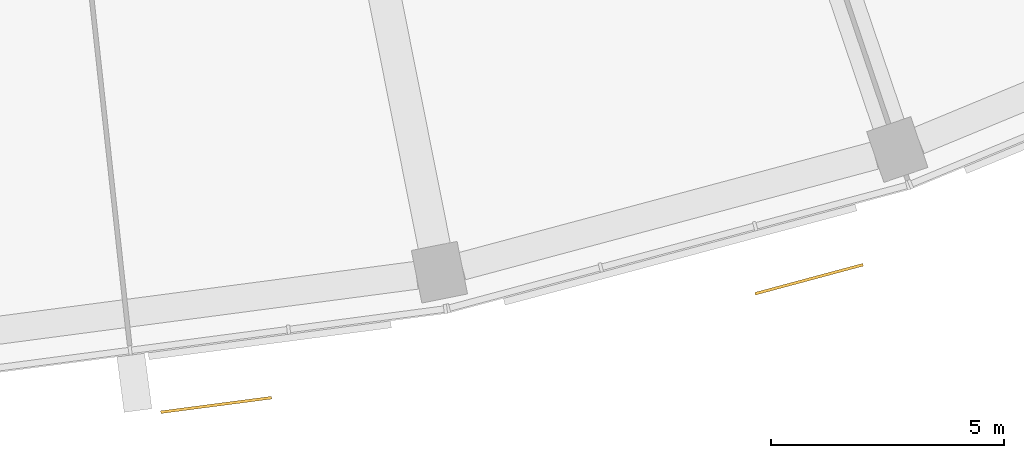
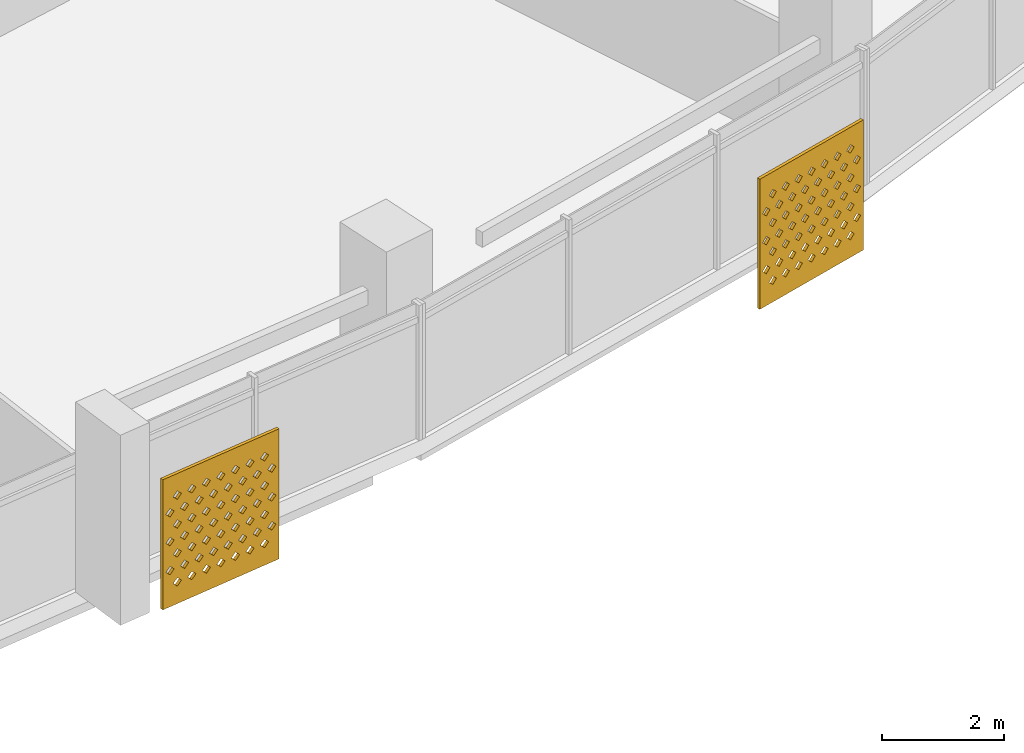
# One storey, part 26 of 28: 2 shading devices.
"""IFC4 building model written with IfcOpenShell, lengths in metres."""

import ifcopenshell
import ifcopenshell.guid

model = None  # the IFC model being written
_history = None  # IfcOwnerHistory: only IFC2X3 demands one
_inside = {}  # id of a spatial element -> (the spatial element, [elements in it])
_under = {}  # id of a project, library or spatial element -> (it, [spatial elements below it])
_declared = {}  # id of a project -> (the project, [libraries it declares])
_typed = {}  # id of a type object -> (the type object, [elements of that type])
_made_of = {}  # id of a material, layer set ... -> (it, [elements and type objects made of it])


def new_model(schema):
    """Start an empty IFC model of exactly this schema.

    Asked for "IFC4X3", IfcOpenShell would pick the latest addendum, in which some entities
    have other attributes; the version numbers below select the first issue.
    IFC2X3 requires an IfcOwnerHistory on every rooted entity: one is made here for all.
    """
    global model, _history
    if schema == "IFC4X3":
        model = ifcopenshell.file(schema_version=(4, 3, 0, 0))
    else:
        model = ifcopenshell.file(schema=schema)
    _inside.clear()
    _under.clear()
    _declared.clear()
    _typed.clear()
    _made_of.clear()
    _history = None
    if model.schema == "IFC2X3":
        org = make("IfcOrganization", Name="unknown")
        user = make(
            "IfcPersonAndOrganization",
            ThePerson=make("IfcPerson", FamilyName="unknown"),
            TheOrganization=org,
        )
        app = make(
            "IfcApplication",
            ApplicationDeveloper=org,
            Version="unknown",
            ApplicationFullName="unknown",
            ApplicationIdentifier="unknown",
        )
        _history = make(
            "IfcOwnerHistory",
            OwningUser=user,
            OwningApplication=app,
            ChangeAction="ADDED",
            CreationDate=0,
        )
    return model


def make(cls, **values):
    """One entity of the class cls with the attributes given. An attribute that is None is left unset."""
    return model.create_entity(
        cls, **{name: value for name, value in values.items() if value is not None}
    )


def rooted(cls, **values):
    """An entity with a GlobalId (a new one), such as an element, a storey or a relation."""
    return make(cls, GlobalId=ifcopenshell.guid.new(), OwnerHistory=_history, **values)


def si_unit(unit_type, name, prefix=None):
    """IfcSIUnit, for example si_unit("LENGTHUNIT", "METRE", prefix="MILLI")."""
    return make("IfcSIUnit", UnitType=unit_type, Prefix=prefix, Name=name)


def assignment(units):
    """IfcUnitAssignment: the units of a project."""
    return None if units is None else make("IfcUnitAssignment", Units=units)


def point(xyz):
    """IfcCartesianPoint."""
    return None if xyz is None else make("IfcCartesianPoint", Coordinates=xyz)


def direction(xyz):
    """IfcDirection."""
    return None if xyz is None else make("IfcDirection", DirectionRatios=xyz)


def frame(location, z_axis=None, x_axis=None):
    """IfcAxis2Placement3D, a coordinate frame: its origin and axes. An axis left out is left unset."""
    return make(
        "IfcAxis2Placement3D",
        Location=point(location),
        Axis=direction(z_axis),
        RefDirection=direction(x_axis),
    )


def origin():
    """The frame at (0, 0, 0) with its axes left unset."""
    return frame((0.0, 0.0, 0.0))


def place(relative_to, where):
    """IfcLocalPlacement: puts the frame where relative to a parent placement (None: the world)."""
    return make(
        "IfcLocalPlacement", PlacementRelTo=relative_to, RelativePlacement=where
    )


def context(
    kind, dimensions, precision=None, world=None, true_north=None, identifier=None
):
    """IfcGeometricRepresentationContext, for example the 3D "Model" context."""
    return make(
        "IfcGeometricRepresentationContext",
        ContextIdentifier=identifier,
        ContextType=kind,
        CoordinateSpaceDimension=dimensions,
        Precision=precision,
        WorldCoordinateSystem=world,
        TrueNorth=true_north,
    )


def subcontext(parent, identifier, kind, view, scale=None):
    """IfcGeometricRepresentationSubContext, for example "Body" below "Model"."""
    return make(
        "IfcGeometricRepresentationSubContext",
        ContextIdentifier=identifier,
        ContextType=kind,
        ParentContext=parent,
        TargetScale=scale,
        TargetView=view,
    )


def project(units=None, contexts=None):
    """IfcProject with its units and contexts."""
    return rooted(
        "IfcProject",
        Name="project",
        RepresentationContexts=contexts,
        UnitsInContext=assignment(units),
    )


def spatial(cls, under=None, at=None, **own):
    """A site, building, storey or space (cls), placed at a placement, below another one or the project."""
    s = rooted(cls, ObjectPlacement=at, **own)
    if under is not None:
        _under.setdefault(under.id(), (under, []))[1].append(s)
    return s


def polyline(points):
    """IfcPolyline through the points."""
    return make("IfcPolyline", Points=[point(p) for p in points])


def outline(outer, holes=None, kind="AREA"):
    """IfcArbitraryClosedProfileDef: a profile drawn as a closed curve; with holes, ...WithVoids."""
    if holes is None:
        return make("IfcArbitraryClosedProfileDef", ProfileType=kind, OuterCurve=outer)
    return make(
        "IfcArbitraryProfileDefWithVoids",
        ProfileType=kind,
        OuterCurve=outer,
        InnerCurves=holes,
    )


def extrude(swept, where, along, depth):
    """IfcExtrudedAreaSolid: the profile swept, set in the frame where, extruded along a direction by depth."""
    return make(
        "IfcExtrudedAreaSolid",
        SweptArea=swept,
        Position=where,
        ExtrudedDirection=direction(along),
        Depth=depth,
    )


def shape(context_of_items, identifier, shape_type, items):
    """IfcShapeRepresentation: the items that make up one representation, for example the "Body"."""
    return make(
        "IfcShapeRepresentation",
        ContextOfItems=context_of_items,
        RepresentationIdentifier=identifier,
        RepresentationType=shape_type,
        Items=items,
    )


def material(Name=None, Category=None):
    """IfcMaterial."""
    return make("IfcMaterial", Name=Name, Category=Category)


def material_profile(
    of_material, cross_section, Name=None, Category=None, Priority=None
):
    """IfcMaterialProfile: a cross section and its material."""
    return make(
        "IfcMaterialProfile",
        Name=Name,
        Material=of_material,
        Profile=cross_section,
        Priority=Priority,
        Category=Category,
    )


def profile_set(profiles, Name=None, composite=None):
    """IfcMaterialProfileSet."""
    return make(
        "IfcMaterialProfileSet",
        Name=Name,
        MaterialProfiles=profiles,
        CompositeProfile=composite,
    )


def made_of(thing, what):
    """Note that an element or type object is made of a material, layer set ...; save() writes the relation."""
    if what is not None:
        _made_of.setdefault(what.id(), (what, []))[1].append(thing)
    return thing


def type_object(cls, material=None, **own):
    """A type object (cls), such as IfcWallType, which elements share."""
    return made_of(rooted(cls, **own), material)


def element(
    cls,
    number,
    at=None,
    inside=None,
    cuts=None,
    type_object=None,
    material=None,
    context=None,
    identifier="Body",
    shape_type=None,
    held_by="IfcProductDefinitionShape",
    body=None,
    shapes=None,
    **own,
):
    """One element of the class cls, such as IfcWall. Its Tag is "e" and its number.

    at: its placement. inside: the storey or other place that contains it. cuts: it is an
    opening in that element (IfcRelVoidsElement). A single representation is given by context,
    identifier, shape_type and body (its items); several are given by shapes. held_by: the class
    of the entity that holds the representations. save() writes the other relations.
    """
    e = rooted(cls, Tag="e%d" % number, ObjectPlacement=at, **own)
    if body is not None:
        shapes = [shape(context, identifier, shape_type, body)]
    if shapes is not None:
        e.Representation = make(held_by, Representations=shapes)
    if inside is not None:
        _inside.setdefault(inside.id(), (inside, []))[1].append(e)
    if cuts is not None:
        rooted(
            "IfcRelVoidsElement", RelatingBuildingElement=cuts, RelatedOpeningElement=e
        )
    if type_object is not None:
        _typed.setdefault(type_object.id(), (type_object, []))[1].append(e)
    return made_of(e, material)


def aggregate(whole, parts):
    """IfcRelAggregates: a whole, such as a stair, and the parts it consists of."""
    return rooted("IfcRelAggregates", RelatingObject=whole, RelatedObjects=parts)


def save(model, path):
    """Write the relations noted so far, then the file.

    IfcRelAggregates (storeys below a building ...), IfcRelContainedInSpatialStructure (elements
    in a storey), IfcRelDefinesByType, IfcRelAssociatesMaterial and IfcRelDeclares: one each for
    every whole, place, type object, material and project.
    """
    for whole, parts in _under.values():
        aggregate(whole, parts)
    for where, things in _inside.values():
        rooted(
            "IfcRelContainedInSpatialStructure",
            RelatedElements=things,
            RelatingStructure=where,
        )
    for kind, things in _typed.values():
        rooted("IfcRelDefinesByType", RelatedObjects=things, RelatingType=kind)
    for what, things in _made_of.values():
        rooted("IfcRelAssociatesMaterial", RelatedObjects=things, RelatingMaterial=what)
    for by, libraries in _declared.values():
        rooted("IfcRelDeclares", RelatingContext=by, RelatedDefinitions=libraries)
    model.write(path)


model = new_model("IFC4")

# Units and contexts
model_context = context("Model", 3, precision=1e-05, world=origin(), true_north=direction((0.0, 1.0)))
body_context = subcontext(model_context, "Body", "Model", "MODEL_VIEW")
ifc_project = project(units=[si_unit("LENGTHUNIT", "METRE"), si_unit("AREAUNIT", "SQUARE_METRE"), si_unit("VOLUMEUNIT", "CUBIC_METRE"), si_unit("PLANEANGLEUNIT", "RADIAN"), si_unit("MASSUNIT", "GRAM", prefix="KILO")], contexts=[model_context])

# Site, building, storey
site_placement = place(None, origin())
site = spatial("IfcSite", under=ifc_project, at=site_placement, CompositionType="ELEMENT")
building_placement = place(site_placement, origin())
building = spatial("IfcBuilding", under=site, at=building_placement, Name="Qamariyya Broadcast Tower", CompositionType="ELEMENT")
storey_placement = place(building_placement, frame((0.0, 0.0, 215.10009765625)))
storey = spatial("IfcBuildingStorey", under=building, at=storey_placement, Name="L51", CompositionType="ELEMENT", Elevation=215.10009765625)

# Shading devices
ifc_material = material(Name="Perforated glazed terracotta", Category="masonry")
ifc_material_profile = material_profile(ifc_material, outline(polyline([(-1.199951171875, -1.300048828125), (1.199951171875, -1.300048828125), (1.199951171875, 1.300048828125), (-1.199951171875, 1.300048828125), (-1.199951171875, -1.300048828125)]), holes=[polyline([(-0.81494140625, -0.86669921875), (-0.89990234375, -0.78173828125), (-0.985107421875, -0.86669921875), (-0.89990234375, -0.95166015625), (-0.81494140625, -0.86669921875)]), polyline([(-0.514892578125, -0.86669921875), (-0.60009765625, -0.78173828125), (-0.68505859375, -0.86669921875), (-0.60009765625, -0.95166015625), (-0.514892578125, -0.86669921875)]), polyline([(-0.215087890625, -0.86669921875), (-0.300048828125, -0.78173828125), (-0.385009765625, -0.86669921875), (-0.300048828125, -0.95166015625), (-0.215087890625, -0.86669921875)]), polyline([(0.0849609375, -0.86669921875), (0.0, -0.78173828125), (-0.0849609375, -0.86669921875), (0.0, -0.95166015625), (0.0849609375, -0.86669921875)]), polyline([(0.385009765625, -0.86669921875), (0.300048828125, -0.78173828125), (0.215087890625, -0.86669921875), (0.300048828125, -0.95166015625), (0.385009765625, -0.86669921875)]), polyline([(0.68505859375, -0.86669921875), (0.60009765625, -0.78173828125), (0.514892578125, -0.86669921875), (0.60009765625, -0.95166015625), (0.68505859375, -0.86669921875)]), polyline([(0.985107421875, -0.86669921875), (0.89990234375, -0.78173828125), (0.81494140625, -0.86669921875), (0.89990234375, -0.95166015625), (0.985107421875, -0.86669921875)]), polyline([(-0.965087890625, -0.577880859375), (-1.050048828125, -0.49267578125), (-1.135009765625, -0.577880859375), (-1.050048828125, -0.662841796875), (-0.965087890625, -0.577880859375)]), polyline([(-0.6650390625, -0.577880859375), (-0.75, -0.49267578125), (-0.8349609375, -0.577880859375), (-0.75, -0.662841796875), (-0.6650390625, -0.577880859375)]), polyline([(-0.364990234375, -0.577880859375), (-0.449951171875, -0.49267578125), (-0.534912109375, -0.577880859375), (-0.449951171875, -0.662841796875), (-0.364990234375, -0.577880859375)]), polyline([(-0.06494140625, -0.577880859375), (-0.14990234375, -0.49267578125), (-0.235107421875, -0.577880859375), (-0.14990234375, -0.662841796875), (-0.06494140625, -0.577880859375)]), polyline([(0.235107421875, -0.577880859375), (0.14990234375, -0.49267578125), (0.06494140625, -0.577880859375), (0.14990234375, -0.662841796875), (0.235107421875, -0.577880859375)]), polyline([(0.534912109375, -0.577880859375), (0.449951171875, -0.49267578125), (0.364990234375, -0.577880859375), (0.449951171875, -0.662841796875), (0.534912109375, -0.577880859375)]), polyline([(0.8349609375, -0.577880859375), (0.75, -0.49267578125), (0.6650390625, -0.577880859375), (0.75, -0.662841796875), (0.8349609375, -0.577880859375)]), polyline([(1.135009765625, -0.577880859375), (1.050048828125, -0.49267578125), (0.965087890625, -0.577880859375), (1.050048828125, -0.662841796875), (1.135009765625, -0.577880859375)]), polyline([(-0.81494140625, -0.288818359375), (-0.89990234375, -0.203857421875), (-0.985107421875, -0.288818359375), (-0.89990234375, -0.373779296875), (-0.81494140625, -0.288818359375)]), polyline([(-0.514892578125, -0.288818359375), (-0.60009765625, -0.203857421875), (-0.68505859375, -0.288818359375), (-0.60009765625, -0.373779296875), (-0.514892578125, -0.288818359375)]), polyline([(-0.215087890625, -0.288818359375), (-0.300048828125, -0.203857421875), (-0.385009765625, -0.288818359375), (-0.300048828125, -0.373779296875), (-0.215087890625, -0.288818359375)]), polyline([(0.0849609375, -0.288818359375), (0.0, -0.203857421875), (-0.0849609375, -0.288818359375), (0.0, -0.373779296875), (0.0849609375, -0.288818359375)]), polyline([(0.385009765625, -0.288818359375), (0.300048828125, -0.203857421875), (0.215087890625, -0.288818359375), (0.300048828125, -0.373779296875), (0.385009765625, -0.288818359375)]), polyline([(0.68505859375, -0.288818359375), (0.60009765625, -0.203857421875), (0.514892578125, -0.288818359375), (0.60009765625, -0.373779296875), (0.68505859375, -0.288818359375)]), polyline([(0.985107421875, -0.288818359375), (0.89990234375, -0.203857421875), (0.81494140625, -0.288818359375), (0.89990234375, -0.373779296875), (0.985107421875, -0.288818359375)]), polyline([(-0.965087890625, 0.0), (-1.050048828125, 0.0849609375), (-1.135009765625, 0.0), (-1.050048828125, -0.0849609375), (-0.965087890625, 0.0)]), polyline([(-0.6650390625, 0.0), (-0.75, 0.0849609375), (-0.8349609375, 0.0), (-0.75, -0.0849609375), (-0.6650390625, 0.0)]), polyline([(-0.364990234375, 0.0), (-0.449951171875, 0.0849609375), (-0.534912109375, 0.0), (-0.449951171875, -0.0849609375), (-0.364990234375, 0.0)]), polyline([(-0.06494140625, 0.0), (-0.14990234375, 0.0849609375), (-0.235107421875, 0.0), (-0.14990234375, -0.0849609375), (-0.06494140625, 0.0)]), polyline([(0.235107421875, 0.0), (0.14990234375, 0.0849609375), (0.06494140625, 0.0), (0.14990234375, -0.0849609375), (0.235107421875, 0.0)]), polyline([(0.534912109375, 0.0), (0.449951171875, 0.0849609375), (0.364990234375, 0.0), (0.449951171875, -0.0849609375), (0.534912109375, 0.0)]), polyline([(0.8349609375, 0.0), (0.75, 0.0849609375), (0.6650390625, 0.0), (0.75, -0.0849609375), (0.8349609375, 0.0)]), polyline([(1.135009765625, 0.0), (1.050048828125, 0.0849609375), (0.965087890625, 0.0), (1.050048828125, -0.0849609375), (1.135009765625, 0.0)]), polyline([(-0.81494140625, 0.288818359375), (-0.89990234375, 0.373779296875), (-0.985107421875, 0.288818359375), (-0.89990234375, 0.203857421875), (-0.81494140625, 0.288818359375)]), polyline([(-0.514892578125, 0.288818359375), (-0.60009765625, 0.373779296875), (-0.68505859375, 0.288818359375), (-0.60009765625, 0.203857421875), (-0.514892578125, 0.288818359375)]), polyline([(-0.215087890625, 0.288818359375), (-0.300048828125, 0.373779296875), (-0.385009765625, 0.288818359375), (-0.300048828125, 0.203857421875), (-0.215087890625, 0.288818359375)]), polyline([(0.0849609375, 0.288818359375), (0.0, 0.373779296875), (-0.0849609375, 0.288818359375), (0.0, 0.203857421875), (0.0849609375, 0.288818359375)]), polyline([(0.385009765625, 0.288818359375), (0.300048828125, 0.373779296875), (0.215087890625, 0.288818359375), (0.300048828125, 0.203857421875), (0.385009765625, 0.288818359375)]), polyline([(0.68505859375, 0.288818359375), (0.60009765625, 0.373779296875), (0.514892578125, 0.288818359375), (0.60009765625, 0.203857421875), (0.68505859375, 0.288818359375)]), polyline([(0.985107421875, 0.288818359375), (0.89990234375, 0.373779296875), (0.81494140625, 0.288818359375), (0.89990234375, 0.203857421875), (0.985107421875, 0.288818359375)]), polyline([(-0.965087890625, 0.577880859375), (-1.050048828125, 0.662841796875), (-1.135009765625, 0.577880859375), (-1.050048828125, 0.49267578125), (-0.965087890625, 0.577880859375)]), polyline([(-0.6650390625, 0.577880859375), (-0.75, 0.662841796875), (-0.8349609375, 0.577880859375), (-0.75, 0.49267578125), (-0.6650390625, 0.577880859375)]), polyline([(-0.364990234375, 0.577880859375), (-0.449951171875, 0.662841796875), (-0.534912109375, 0.577880859375), (-0.449951171875, 0.49267578125), (-0.364990234375, 0.577880859375)]), polyline([(-0.06494140625, 0.577880859375), (-0.14990234375, 0.662841796875), (-0.235107421875, 0.577880859375), (-0.14990234375, 0.49267578125), (-0.06494140625, 0.577880859375)]), polyline([(0.235107421875, 0.577880859375), (0.14990234375, 0.662841796875), (0.06494140625, 0.577880859375), (0.14990234375, 0.49267578125), (0.235107421875, 0.577880859375)]), polyline([(0.534912109375, 0.577880859375), (0.449951171875, 0.662841796875), (0.364990234375, 0.577880859375), (0.449951171875, 0.49267578125), (0.534912109375, 0.577880859375)]), polyline([(0.8349609375, 0.577880859375), (0.75, 0.662841796875), (0.6650390625, 0.577880859375), (0.75, 0.49267578125), (0.8349609375, 0.577880859375)]), polyline([(1.135009765625, 0.577880859375), (1.050048828125, 0.662841796875), (0.965087890625, 0.577880859375), (1.050048828125, 0.49267578125), (1.135009765625, 0.577880859375)]), polyline([(-0.81494140625, 0.86669921875), (-0.89990234375, 0.95166015625), (-0.985107421875, 0.86669921875), (-0.89990234375, 0.78173828125), (-0.81494140625, 0.86669921875)]), polyline([(-0.514892578125, 0.86669921875), (-0.60009765625, 0.95166015625), (-0.68505859375, 0.86669921875), (-0.60009765625, 0.78173828125), (-0.514892578125, 0.86669921875)]), polyline([(-0.215087890625, 0.86669921875), (-0.300048828125, 0.95166015625), (-0.385009765625, 0.86669921875), (-0.300048828125, 0.78173828125), (-0.215087890625, 0.86669921875)]), polyline([(0.0849609375, 0.86669921875), (0.0, 0.95166015625), (-0.0849609375, 0.86669921875), (0.0, 0.78173828125), (0.0849609375, 0.86669921875)]), polyline([(0.385009765625, 0.86669921875), (0.300048828125, 0.95166015625), (0.215087890625, 0.86669921875), (0.300048828125, 0.78173828125), (0.385009765625, 0.86669921875)]), polyline([(0.68505859375, 0.86669921875), (0.60009765625, 0.95166015625), (0.514892578125, 0.86669921875), (0.60009765625, 0.78173828125), (0.68505859375, 0.86669921875)]), polyline([(0.985107421875, 0.86669921875), (0.89990234375, 0.95166015625), (0.81494140625, 0.86669921875), (0.89990234375, 0.78173828125), (0.985107421875, 0.86669921875)])]))
ifc_profile_set = profile_set([ifc_material_profile], Name="Perforated glazed terracotta")
shading_device_type = type_object("IfcShadingDeviceType", Name="Perforated terracotta screen 2400 x 2600", PredefinedType="USERDEFINED", material=ifc_profile_set)
shading_device_1_placement = place(storey_placement, frame((10.3740234375, -79.073974609375, 1.349853515625), z_axis=(0.1300340368, -0.991509530601, 0.0), x_axis=(0.991509530601, 0.1300340368, 0.0)))
element("IfcShadingDevice", 1, at=shading_device_1_placement, inside=storey, type_object=shading_device_type, Name="e-scr-L51-09-1", ObjectType="SCREEN", PredefinedType="USERDEFINED", context=body_context, shape_type="SweptSolid", body=[
    extrude(outline(polyline([(-1.199951171875, -1.300048828125), (1.199951171875, -1.300048828125), (1.199951171875, 1.300048828125), (-1.199951171875, 1.300048828125), (-1.199951171875, -1.300048828125)]), holes=[polyline([(-0.81494140625, -0.86669921875), (-0.89990234375, -0.78173828125), (-0.985107421875, -0.86669921875), (-0.89990234375, -0.95166015625), (-0.81494140625, -0.86669921875)]), polyline([(-0.514892578125, -0.86669921875), (-0.60009765625, -0.78173828125), (-0.68505859375, -0.86669921875), (-0.60009765625, -0.95166015625), (-0.514892578125, -0.86669921875)]), polyline([(-0.215087890625, -0.86669921875), (-0.300048828125, -0.78173828125), (-0.385009765625, -0.86669921875), (-0.300048828125, -0.95166015625), (-0.215087890625, -0.86669921875)]), polyline([(0.0849609375, -0.86669921875), (0.0, -0.78173828125), (-0.0849609375, -0.86669921875), (0.0, -0.95166015625), (0.0849609375, -0.86669921875)]), polyline([(0.385009765625, -0.86669921875), (0.300048828125, -0.78173828125), (0.215087890625, -0.86669921875), (0.300048828125, -0.95166015625), (0.385009765625, -0.86669921875)]), polyline([(0.68505859375, -0.86669921875), (0.60009765625, -0.78173828125), (0.514892578125, -0.86669921875), (0.60009765625, -0.95166015625), (0.68505859375, -0.86669921875)]), polyline([(0.985107421875, -0.86669921875), (0.89990234375, -0.78173828125), (0.81494140625, -0.86669921875), (0.89990234375, -0.95166015625), (0.985107421875, -0.86669921875)]), polyline([(-0.965087890625, -0.577880859375), (-1.050048828125, -0.49267578125), (-1.135009765625, -0.577880859375), (-1.050048828125, -0.662841796875), (-0.965087890625, -0.577880859375)]), polyline([(-0.6650390625, -0.577880859375), (-0.75, -0.49267578125), (-0.8349609375, -0.577880859375), (-0.75, -0.662841796875), (-0.6650390625, -0.577880859375)]), polyline([(-0.364990234375, -0.577880859375), (-0.449951171875, -0.49267578125), (-0.534912109375, -0.577880859375), (-0.449951171875, -0.662841796875), (-0.364990234375, -0.577880859375)]), polyline([(-0.06494140625, -0.577880859375), (-0.14990234375, -0.49267578125), (-0.235107421875, -0.577880859375), (-0.14990234375, -0.662841796875), (-0.06494140625, -0.577880859375)]), polyline([(0.235107421875, -0.577880859375), (0.14990234375, -0.49267578125), (0.06494140625, -0.577880859375), (0.14990234375, -0.662841796875), (0.235107421875, -0.577880859375)]), polyline([(0.534912109375, -0.577880859375), (0.449951171875, -0.49267578125), (0.364990234375, -0.577880859375), (0.449951171875, -0.662841796875), (0.534912109375, -0.577880859375)]), polyline([(0.8349609375, -0.577880859375), (0.75, -0.49267578125), (0.6650390625, -0.577880859375), (0.75, -0.662841796875), (0.8349609375, -0.577880859375)]), polyline([(1.135009765625, -0.577880859375), (1.050048828125, -0.49267578125), (0.965087890625, -0.577880859375), (1.050048828125, -0.662841796875), (1.135009765625, -0.577880859375)]), polyline([(-0.81494140625, -0.288818359375), (-0.89990234375, -0.203857421875), (-0.985107421875, -0.288818359375), (-0.89990234375, -0.373779296875), (-0.81494140625, -0.288818359375)]), polyline([(-0.514892578125, -0.288818359375), (-0.60009765625, -0.203857421875), (-0.68505859375, -0.288818359375), (-0.60009765625, -0.373779296875), (-0.514892578125, -0.288818359375)]), polyline([(-0.215087890625, -0.288818359375), (-0.300048828125, -0.203857421875), (-0.385009765625, -0.288818359375), (-0.300048828125, -0.373779296875), (-0.215087890625, -0.288818359375)]), polyline([(0.0849609375, -0.288818359375), (0.0, -0.203857421875), (-0.0849609375, -0.288818359375), (0.0, -0.373779296875), (0.0849609375, -0.288818359375)]), polyline([(0.385009765625, -0.288818359375), (0.300048828125, -0.203857421875), (0.215087890625, -0.288818359375), (0.300048828125, -0.373779296875), (0.385009765625, -0.288818359375)]), polyline([(0.68505859375, -0.288818359375), (0.60009765625, -0.203857421875), (0.514892578125, -0.288818359375), (0.60009765625, -0.373779296875), (0.68505859375, -0.288818359375)]), polyline([(0.985107421875, -0.288818359375), (0.89990234375, -0.203857421875), (0.81494140625, -0.288818359375), (0.89990234375, -0.373779296875), (0.985107421875, -0.288818359375)]), polyline([(-0.965087890625, 0.0), (-1.050048828125, 0.0849609375), (-1.135009765625, 0.0), (-1.050048828125, -0.0849609375), (-0.965087890625, 0.0)]), polyline([(-0.6650390625, 0.0), (-0.75, 0.0849609375), (-0.8349609375, 0.0), (-0.75, -0.0849609375), (-0.6650390625, 0.0)]), polyline([(-0.364990234375, 0.0), (-0.449951171875, 0.0849609375), (-0.534912109375, 0.0), (-0.449951171875, -0.0849609375), (-0.364990234375, 0.0)]), polyline([(-0.06494140625, 0.0), (-0.14990234375, 0.0849609375), (-0.235107421875, 0.0), (-0.14990234375, -0.0849609375), (-0.06494140625, 0.0)]), polyline([(0.235107421875, 0.0), (0.14990234375, 0.0849609375), (0.06494140625, 0.0), (0.14990234375, -0.0849609375), (0.235107421875, 0.0)]), polyline([(0.534912109375, 0.0), (0.449951171875, 0.0849609375), (0.364990234375, 0.0), (0.449951171875, -0.0849609375), (0.534912109375, 0.0)]), polyline([(0.8349609375, 0.0), (0.75, 0.0849609375), (0.6650390625, 0.0), (0.75, -0.0849609375), (0.8349609375, 0.0)]), polyline([(1.135009765625, 0.0), (1.050048828125, 0.0849609375), (0.965087890625, 0.0), (1.050048828125, -0.0849609375), (1.135009765625, 0.0)]), polyline([(-0.81494140625, 0.288818359375), (-0.89990234375, 0.373779296875), (-0.985107421875, 0.288818359375), (-0.89990234375, 0.203857421875), (-0.81494140625, 0.288818359375)]), polyline([(-0.514892578125, 0.288818359375), (-0.60009765625, 0.373779296875), (-0.68505859375, 0.288818359375), (-0.60009765625, 0.203857421875), (-0.514892578125, 0.288818359375)]), polyline([(-0.215087890625, 0.288818359375), (-0.300048828125, 0.373779296875), (-0.385009765625, 0.288818359375), (-0.300048828125, 0.203857421875), (-0.215087890625, 0.288818359375)]), polyline([(0.0849609375, 0.288818359375), (0.0, 0.373779296875), (-0.0849609375, 0.288818359375), (0.0, 0.203857421875), (0.0849609375, 0.288818359375)]), polyline([(0.385009765625, 0.288818359375), (0.300048828125, 0.373779296875), (0.215087890625, 0.288818359375), (0.300048828125, 0.203857421875), (0.385009765625, 0.288818359375)]), polyline([(0.68505859375, 0.288818359375), (0.60009765625, 0.373779296875), (0.514892578125, 0.288818359375), (0.60009765625, 0.203857421875), (0.68505859375, 0.288818359375)]), polyline([(0.985107421875, 0.288818359375), (0.89990234375, 0.373779296875), (0.81494140625, 0.288818359375), (0.89990234375, 0.203857421875), (0.985107421875, 0.288818359375)]), polyline([(-0.965087890625, 0.577880859375), (-1.050048828125, 0.662841796875), (-1.135009765625, 0.577880859375), (-1.050048828125, 0.49267578125), (-0.965087890625, 0.577880859375)]), polyline([(-0.6650390625, 0.577880859375), (-0.75, 0.662841796875), (-0.8349609375, 0.577880859375), (-0.75, 0.49267578125), (-0.6650390625, 0.577880859375)]), polyline([(-0.364990234375, 0.577880859375), (-0.449951171875, 0.662841796875), (-0.534912109375, 0.577880859375), (-0.449951171875, 0.49267578125), (-0.364990234375, 0.577880859375)]), polyline([(-0.06494140625, 0.577880859375), (-0.14990234375, 0.662841796875), (-0.235107421875, 0.577880859375), (-0.14990234375, 0.49267578125), (-0.06494140625, 0.577880859375)]), polyline([(0.235107421875, 0.577880859375), (0.14990234375, 0.662841796875), (0.06494140625, 0.577880859375), (0.14990234375, 0.49267578125), (0.235107421875, 0.577880859375)]), polyline([(0.534912109375, 0.577880859375), (0.449951171875, 0.662841796875), (0.364990234375, 0.577880859375), (0.449951171875, 0.49267578125), (0.534912109375, 0.577880859375)]), polyline([(0.8349609375, 0.577880859375), (0.75, 0.662841796875), (0.6650390625, 0.577880859375), (0.75, 0.49267578125), (0.8349609375, 0.577880859375)]), polyline([(1.135009765625, 0.577880859375), (1.050048828125, 0.662841796875), (0.965087890625, 0.577880859375), (1.050048828125, 0.49267578125), (1.135009765625, 0.577880859375)]), polyline([(-0.81494140625, 0.86669921875), (-0.89990234375, 0.95166015625), (-0.985107421875, 0.86669921875), (-0.89990234375, 0.78173828125), (-0.81494140625, 0.86669921875)]), polyline([(-0.514892578125, 0.86669921875), (-0.60009765625, 0.95166015625), (-0.68505859375, 0.86669921875), (-0.60009765625, 0.78173828125), (-0.514892578125, 0.86669921875)]), polyline([(-0.215087890625, 0.86669921875), (-0.300048828125, 0.95166015625), (-0.385009765625, 0.86669921875), (-0.300048828125, 0.78173828125), (-0.215087890625, 0.86669921875)]), polyline([(0.0849609375, 0.86669921875), (0.0, 0.95166015625), (-0.0849609375, 0.86669921875), (0.0, 0.78173828125), (0.0849609375, 0.86669921875)]), polyline([(0.385009765625, 0.86669921875), (0.300048828125, 0.95166015625), (0.215087890625, 0.86669921875), (0.300048828125, 0.78173828125), (0.385009765625, 0.86669921875)]), polyline([(0.68505859375, 0.86669921875), (0.60009765625, 0.95166015625), (0.514892578125, 0.86669921875), (0.60009765625, 0.78173828125), (0.68505859375, 0.86669921875)]), polyline([(0.985107421875, 0.86669921875), (0.89990234375, 0.95166015625), (0.81494140625, 0.86669921875), (0.89990234375, 0.78173828125), (0.985107421875, 0.86669921875)])]), origin(), (0.0, 0.0, 1.0), 0.06005859375),
])
shading_device_2_placement = place(storey_placement, frame((23.0908203125, -76.377685546875, 1.349853515625), z_axis=(0.259682438219, -0.965694067125, 0.0), x_axis=(0.965694067125, 0.259682438219, 0.0)))
element("IfcShadingDevice", 2, at=shading_device_2_placement, inside=storey, type_object=shading_device_type, Name="e-scr-L51-10-2", ObjectType="SCREEN", PredefinedType="USERDEFINED", context=body_context, shape_type="SweptSolid", body=[
    extrude(outline(polyline([(-1.199951171875, -1.300048828125), (1.199951171875, -1.300048828125), (1.199951171875, 1.300048828125), (-1.199951171875, 1.300048828125), (-1.199951171875, -1.300048828125)]), holes=[polyline([(-0.81494140625, -0.86669921875), (-0.89990234375, -0.78173828125), (-0.985107421875, -0.86669921875), (-0.89990234375, -0.95166015625), (-0.81494140625, -0.86669921875)]), polyline([(-0.514892578125, -0.86669921875), (-0.60009765625, -0.78173828125), (-0.68505859375, -0.86669921875), (-0.60009765625, -0.95166015625), (-0.514892578125, -0.86669921875)]), polyline([(-0.215087890625, -0.86669921875), (-0.300048828125, -0.78173828125), (-0.385009765625, -0.86669921875), (-0.300048828125, -0.95166015625), (-0.215087890625, -0.86669921875)]), polyline([(0.0849609375, -0.86669921875), (0.0, -0.78173828125), (-0.0849609375, -0.86669921875), (0.0, -0.95166015625), (0.0849609375, -0.86669921875)]), polyline([(0.385009765625, -0.86669921875), (0.300048828125, -0.78173828125), (0.215087890625, -0.86669921875), (0.300048828125, -0.95166015625), (0.385009765625, -0.86669921875)]), polyline([(0.68505859375, -0.86669921875), (0.60009765625, -0.78173828125), (0.514892578125, -0.86669921875), (0.60009765625, -0.95166015625), (0.68505859375, -0.86669921875)]), polyline([(0.985107421875, -0.86669921875), (0.89990234375, -0.78173828125), (0.81494140625, -0.86669921875), (0.89990234375, -0.95166015625), (0.985107421875, -0.86669921875)]), polyline([(-0.965087890625, -0.577880859375), (-1.050048828125, -0.49267578125), (-1.135009765625, -0.577880859375), (-1.050048828125, -0.662841796875), (-0.965087890625, -0.577880859375)]), polyline([(-0.6650390625, -0.577880859375), (-0.75, -0.49267578125), (-0.8349609375, -0.577880859375), (-0.75, -0.662841796875), (-0.6650390625, -0.577880859375)]), polyline([(-0.364990234375, -0.577880859375), (-0.449951171875, -0.49267578125), (-0.534912109375, -0.577880859375), (-0.449951171875, -0.662841796875), (-0.364990234375, -0.577880859375)]), polyline([(-0.06494140625, -0.577880859375), (-0.14990234375, -0.49267578125), (-0.235107421875, -0.577880859375), (-0.14990234375, -0.662841796875), (-0.06494140625, -0.577880859375)]), polyline([(0.235107421875, -0.577880859375), (0.14990234375, -0.49267578125), (0.06494140625, -0.577880859375), (0.14990234375, -0.662841796875), (0.235107421875, -0.577880859375)]), polyline([(0.534912109375, -0.577880859375), (0.449951171875, -0.49267578125), (0.364990234375, -0.577880859375), (0.449951171875, -0.662841796875), (0.534912109375, -0.577880859375)]), polyline([(0.8349609375, -0.577880859375), (0.75, -0.49267578125), (0.6650390625, -0.577880859375), (0.75, -0.662841796875), (0.8349609375, -0.577880859375)]), polyline([(1.135009765625, -0.577880859375), (1.050048828125, -0.49267578125), (0.965087890625, -0.577880859375), (1.050048828125, -0.662841796875), (1.135009765625, -0.577880859375)]), polyline([(-0.81494140625, -0.288818359375), (-0.89990234375, -0.203857421875), (-0.985107421875, -0.288818359375), (-0.89990234375, -0.373779296875), (-0.81494140625, -0.288818359375)]), polyline([(-0.514892578125, -0.288818359375), (-0.60009765625, -0.203857421875), (-0.68505859375, -0.288818359375), (-0.60009765625, -0.373779296875), (-0.514892578125, -0.288818359375)]), polyline([(-0.215087890625, -0.288818359375), (-0.300048828125, -0.203857421875), (-0.385009765625, -0.288818359375), (-0.300048828125, -0.373779296875), (-0.215087890625, -0.288818359375)]), polyline([(0.0849609375, -0.288818359375), (0.0, -0.203857421875), (-0.0849609375, -0.288818359375), (0.0, -0.373779296875), (0.0849609375, -0.288818359375)]), polyline([(0.385009765625, -0.288818359375), (0.300048828125, -0.203857421875), (0.215087890625, -0.288818359375), (0.300048828125, -0.373779296875), (0.385009765625, -0.288818359375)]), polyline([(0.68505859375, -0.288818359375), (0.60009765625, -0.203857421875), (0.514892578125, -0.288818359375), (0.60009765625, -0.373779296875), (0.68505859375, -0.288818359375)]), polyline([(0.985107421875, -0.288818359375), (0.89990234375, -0.203857421875), (0.81494140625, -0.288818359375), (0.89990234375, -0.373779296875), (0.985107421875, -0.288818359375)]), polyline([(-0.965087890625, 0.0), (-1.050048828125, 0.0849609375), (-1.135009765625, 0.0), (-1.050048828125, -0.0849609375), (-0.965087890625, 0.0)]), polyline([(-0.6650390625, 0.0), (-0.75, 0.0849609375), (-0.8349609375, 0.0), (-0.75, -0.0849609375), (-0.6650390625, 0.0)]), polyline([(-0.364990234375, 0.0), (-0.449951171875, 0.0849609375), (-0.534912109375, 0.0), (-0.449951171875, -0.0849609375), (-0.364990234375, 0.0)]), polyline([(-0.06494140625, 0.0), (-0.14990234375, 0.0849609375), (-0.235107421875, 0.0), (-0.14990234375, -0.0849609375), (-0.06494140625, 0.0)]), polyline([(0.235107421875, 0.0), (0.14990234375, 0.0849609375), (0.06494140625, 0.0), (0.14990234375, -0.0849609375), (0.235107421875, 0.0)]), polyline([(0.534912109375, 0.0), (0.449951171875, 0.0849609375), (0.364990234375, 0.0), (0.449951171875, -0.0849609375), (0.534912109375, 0.0)]), polyline([(0.8349609375, 0.0), (0.75, 0.0849609375), (0.6650390625, 0.0), (0.75, -0.0849609375), (0.8349609375, 0.0)]), polyline([(1.135009765625, 0.0), (1.050048828125, 0.0849609375), (0.965087890625, 0.0), (1.050048828125, -0.0849609375), (1.135009765625, 0.0)]), polyline([(-0.81494140625, 0.288818359375), (-0.89990234375, 0.373779296875), (-0.985107421875, 0.288818359375), (-0.89990234375, 0.203857421875), (-0.81494140625, 0.288818359375)]), polyline([(-0.514892578125, 0.288818359375), (-0.60009765625, 0.373779296875), (-0.68505859375, 0.288818359375), (-0.60009765625, 0.203857421875), (-0.514892578125, 0.288818359375)]), polyline([(-0.215087890625, 0.288818359375), (-0.300048828125, 0.373779296875), (-0.385009765625, 0.288818359375), (-0.300048828125, 0.203857421875), (-0.215087890625, 0.288818359375)]), polyline([(0.0849609375, 0.288818359375), (0.0, 0.373779296875), (-0.0849609375, 0.288818359375), (0.0, 0.203857421875), (0.0849609375, 0.288818359375)]), polyline([(0.385009765625, 0.288818359375), (0.300048828125, 0.373779296875), (0.215087890625, 0.288818359375), (0.300048828125, 0.203857421875), (0.385009765625, 0.288818359375)]), polyline([(0.68505859375, 0.288818359375), (0.60009765625, 0.373779296875), (0.514892578125, 0.288818359375), (0.60009765625, 0.203857421875), (0.68505859375, 0.288818359375)]), polyline([(0.985107421875, 0.288818359375), (0.89990234375, 0.373779296875), (0.81494140625, 0.288818359375), (0.89990234375, 0.203857421875), (0.985107421875, 0.288818359375)]), polyline([(-0.965087890625, 0.577880859375), (-1.050048828125, 0.662841796875), (-1.135009765625, 0.577880859375), (-1.050048828125, 0.49267578125), (-0.965087890625, 0.577880859375)]), polyline([(-0.6650390625, 0.577880859375), (-0.75, 0.662841796875), (-0.8349609375, 0.577880859375), (-0.75, 0.49267578125), (-0.6650390625, 0.577880859375)]), polyline([(-0.364990234375, 0.577880859375), (-0.449951171875, 0.662841796875), (-0.534912109375, 0.577880859375), (-0.449951171875, 0.49267578125), (-0.364990234375, 0.577880859375)]), polyline([(-0.06494140625, 0.577880859375), (-0.14990234375, 0.662841796875), (-0.235107421875, 0.577880859375), (-0.14990234375, 0.49267578125), (-0.06494140625, 0.577880859375)]), polyline([(0.235107421875, 0.577880859375), (0.14990234375, 0.662841796875), (0.06494140625, 0.577880859375), (0.14990234375, 0.49267578125), (0.235107421875, 0.577880859375)]), polyline([(0.534912109375, 0.577880859375), (0.449951171875, 0.662841796875), (0.364990234375, 0.577880859375), (0.449951171875, 0.49267578125), (0.534912109375, 0.577880859375)]), polyline([(0.8349609375, 0.577880859375), (0.75, 0.662841796875), (0.6650390625, 0.577880859375), (0.75, 0.49267578125), (0.8349609375, 0.577880859375)]), polyline([(1.135009765625, 0.577880859375), (1.050048828125, 0.662841796875), (0.965087890625, 0.577880859375), (1.050048828125, 0.49267578125), (1.135009765625, 0.577880859375)]), polyline([(-0.81494140625, 0.86669921875), (-0.89990234375, 0.95166015625), (-0.985107421875, 0.86669921875), (-0.89990234375, 0.78173828125), (-0.81494140625, 0.86669921875)]), polyline([(-0.514892578125, 0.86669921875), (-0.60009765625, 0.95166015625), (-0.68505859375, 0.86669921875), (-0.60009765625, 0.78173828125), (-0.514892578125, 0.86669921875)]), polyline([(-0.215087890625, 0.86669921875), (-0.300048828125, 0.95166015625), (-0.385009765625, 0.86669921875), (-0.300048828125, 0.78173828125), (-0.215087890625, 0.86669921875)]), polyline([(0.0849609375, 0.86669921875), (0.0, 0.95166015625), (-0.0849609375, 0.86669921875), (0.0, 0.78173828125), (0.0849609375, 0.86669921875)]), polyline([(0.385009765625, 0.86669921875), (0.300048828125, 0.95166015625), (0.215087890625, 0.86669921875), (0.300048828125, 0.78173828125), (0.385009765625, 0.86669921875)]), polyline([(0.68505859375, 0.86669921875), (0.60009765625, 0.95166015625), (0.514892578125, 0.86669921875), (0.60009765625, 0.78173828125), (0.68505859375, 0.86669921875)]), polyline([(0.985107421875, 0.86669921875), (0.89990234375, 0.95166015625), (0.81494140625, 0.86669921875), (0.89990234375, 0.78173828125), (0.985107421875, 0.86669921875)])]), origin(), (0.0, 0.0, 1.0), 0.06005859375),
])

save(model, "model.ifc")
